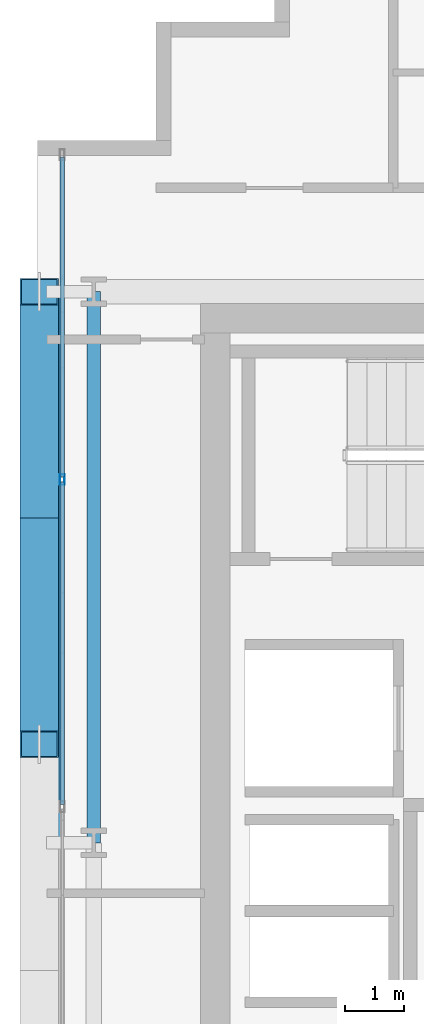
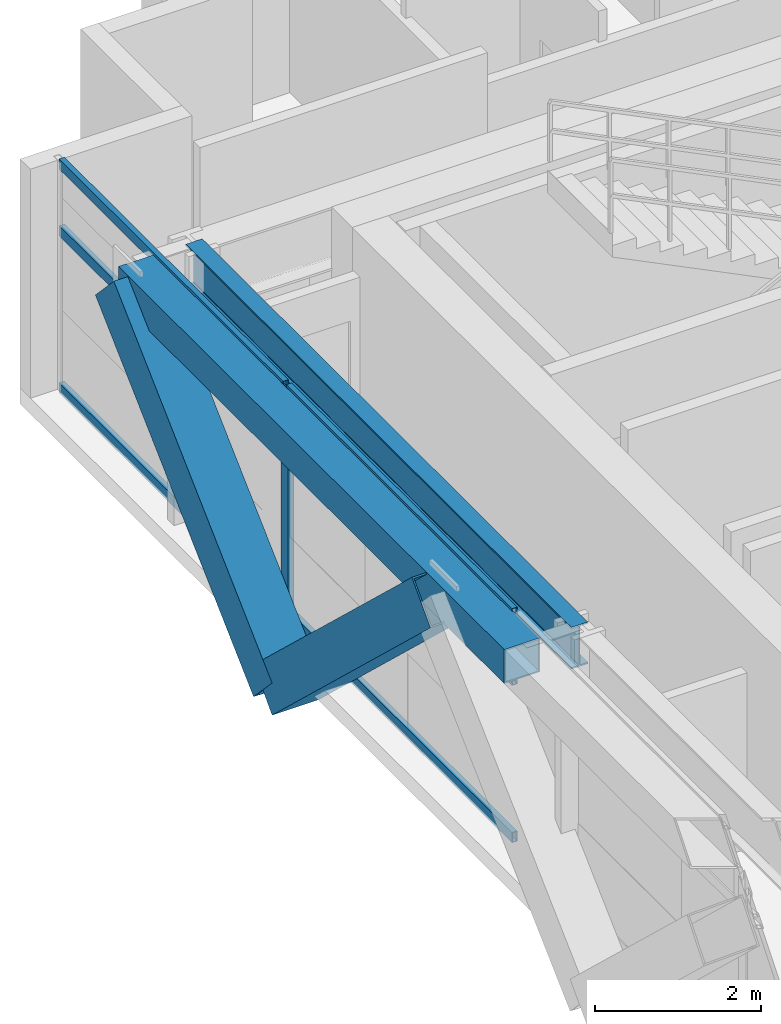
# One storey, part 10 of 38: 9 members, 2 beams, 1 element without a shape of its own.
"""IFC4 building model written with IfcOpenShell, lengths in metres."""

import ifcopenshell
import ifcopenshell.guid

model = None  # the IFC model being written
_history = None  # IfcOwnerHistory: only IFC2X3 demands one
_inside = {}  # id of a spatial element -> (the spatial element, [elements in it])
_under = {}  # id of a project, library or spatial element -> (it, [spatial elements below it])
_declared = {}  # id of a project -> (the project, [libraries it declares])
_typed = {}  # id of a type object -> (the type object, [elements of that type])
_made_of = {}  # id of a material, layer set ... -> (it, [elements and type objects made of it])


def new_model(schema):
    """Start an empty IFC model of exactly this schema.

    Asked for "IFC4X3", IfcOpenShell would pick the latest addendum, in which some entities
    have other attributes; the version numbers below select the first issue.
    IFC2X3 requires an IfcOwnerHistory on every rooted entity: one is made here for all.
    """
    global model, _history
    if schema == "IFC4X3":
        model = ifcopenshell.file(schema_version=(4, 3, 0, 0))
    else:
        model = ifcopenshell.file(schema=schema)
    _inside.clear()
    _under.clear()
    _declared.clear()
    _typed.clear()
    _made_of.clear()
    _history = None
    if model.schema == "IFC2X3":
        org = make("IfcOrganization", Name="unknown")
        user = make(
            "IfcPersonAndOrganization",
            ThePerson=make("IfcPerson", FamilyName="unknown"),
            TheOrganization=org,
        )
        app = make(
            "IfcApplication",
            ApplicationDeveloper=org,
            Version="unknown",
            ApplicationFullName="unknown",
            ApplicationIdentifier="unknown",
        )
        _history = make(
            "IfcOwnerHistory",
            OwningUser=user,
            OwningApplication=app,
            ChangeAction="ADDED",
            CreationDate=0,
        )
    return model


def make(cls, **values):
    """One entity of the class cls with the attributes given. An attribute that is None is left unset."""
    return model.create_entity(
        cls, **{name: value for name, value in values.items() if value is not None}
    )


def rooted(cls, **values):
    """An entity with a GlobalId (a new one), such as an element, a storey or a relation."""
    return make(cls, GlobalId=ifcopenshell.guid.new(), OwnerHistory=_history, **values)


def si_unit(unit_type, name, prefix=None):
    """IfcSIUnit, for example si_unit("LENGTHUNIT", "METRE", prefix="MILLI")."""
    return make("IfcSIUnit", UnitType=unit_type, Prefix=prefix, Name=name)


def assignment(units):
    """IfcUnitAssignment: the units of a project."""
    return None if units is None else make("IfcUnitAssignment", Units=units)


def point(xyz):
    """IfcCartesianPoint."""
    return None if xyz is None else make("IfcCartesianPoint", Coordinates=xyz)


def direction(xyz):
    """IfcDirection."""
    return None if xyz is None else make("IfcDirection", DirectionRatios=xyz)


def frame(location, z_axis=None, x_axis=None):
    """IfcAxis2Placement3D, a coordinate frame: its origin and axes. An axis left out is left unset."""
    return make(
        "IfcAxis2Placement3D",
        Location=point(location),
        Axis=direction(z_axis),
        RefDirection=direction(x_axis),
    )


def frame_2d(location, x_axis=None):
    """IfcAxis2Placement2D, a coordinate frame in the plane: its origin and x axis."""
    return make(
        "IfcAxis2Placement2D", Location=point(location), RefDirection=direction(x_axis)
    )


def origin():
    """The frame at (0, 0, 0) with its axes left unset."""
    return frame((0.0, 0.0, 0.0))


def origin_2d():
    """The frame at (0, 0) in the plane with its x axis left unset."""
    return frame_2d((0.0, 0.0))


def place(relative_to, where):
    """IfcLocalPlacement: puts the frame where relative to a parent placement (None: the world)."""
    return make(
        "IfcLocalPlacement", PlacementRelTo=relative_to, RelativePlacement=where
    )


def context(
    kind, dimensions, precision=None, world=None, true_north=None, identifier=None
):
    """IfcGeometricRepresentationContext, for example the 3D "Model" context."""
    return make(
        "IfcGeometricRepresentationContext",
        ContextIdentifier=identifier,
        ContextType=kind,
        CoordinateSpaceDimension=dimensions,
        Precision=precision,
        WorldCoordinateSystem=world,
        TrueNorth=true_north,
    )


def subcontext(parent, identifier, kind, view, scale=None):
    """IfcGeometricRepresentationSubContext, for example "Body" below "Model"."""
    return make(
        "IfcGeometricRepresentationSubContext",
        ContextIdentifier=identifier,
        ContextType=kind,
        ParentContext=parent,
        TargetScale=scale,
        TargetView=view,
    )


def project(units=None, contexts=None):
    """IfcProject with its units and contexts."""
    return rooted(
        "IfcProject",
        Name="project",
        RepresentationContexts=contexts,
        UnitsInContext=assignment(units),
    )


def spatial(cls, under=None, at=None, **own):
    """A site, building, storey or space (cls), placed at a placement, below another one or the project."""
    s = rooted(cls, ObjectPlacement=at, **own)
    if under is not None:
        _under.setdefault(under.id(), (under, []))[1].append(s)
    return s


def profile(cls, at=None, kind="AREA", **sizes):
    """A parametric profile (cls). Its sizes go by their IFC names, for example OverallWidth=200.0."""
    return make(cls, ProfileType=kind, Position=at, **sizes)


def hollow_rectangle(**sizes):
    """IfcRectangleHollowProfileDef."""
    return profile("IfcRectangleHollowProfileDef", **sizes)


def i_section(**sizes):
    """IfcIShapeProfileDef."""
    return profile("IfcIShapeProfileDef", **sizes)


def extrude(swept, where, along, depth):
    """IfcExtrudedAreaSolid: the profile swept, set in the frame where, extruded along a direction by depth."""
    return make(
        "IfcExtrudedAreaSolid",
        SweptArea=swept,
        Position=where,
        ExtrudedDirection=direction(along),
        Depth=depth,
    )


def shape(context_of_items, identifier, shape_type, items):
    """IfcShapeRepresentation: the items that make up one representation, for example the "Body"."""
    return make(
        "IfcShapeRepresentation",
        ContextOfItems=context_of_items,
        RepresentationIdentifier=identifier,
        RepresentationType=shape_type,
        Items=items,
    )


def source(mapping_origin, context_of_items, identifier, shape_type, items):
    """IfcRepresentationMap: a shape defined once, which mapped items show again and again."""
    return make(
        "IfcRepresentationMap",
        MappingOrigin=mapping_origin,
        MappedRepresentation=shape(context_of_items, identifier, shape_type, items),
    )


def transform(
    local_origin,
    x_axis=None,
    y_axis=None,
    z_axis=None,
    scale=None,
    scale2=None,
    scale3=None,
    uniform=True,
):
    """IfcCartesianTransformationOperator3D, or its non-uniform kind. x_axis, y_axis, z_axis: its Axis1, 2, 3."""
    if uniform:
        return make(
            "IfcCartesianTransformationOperator3D",
            Axis1=direction(x_axis),
            Axis2=direction(y_axis),
            LocalOrigin=point(local_origin),
            Scale=scale,
            Axis3=direction(z_axis),
        )
    return make(
        "IfcCartesianTransformationOperator3DnonUniform",
        Axis1=direction(x_axis),
        Axis2=direction(y_axis),
        LocalOrigin=point(local_origin),
        Scale=scale,
        Axis3=direction(z_axis),
        Scale2=scale2,
        Scale3=scale3,
    )


def mapped(mapping_source, mapping_target):
    """IfcMappedItem: shows the shape of a source again, moved by a transform."""
    return make(
        "IfcMappedItem", MappingSource=mapping_source, MappingTarget=mapping_target
    )


def material(Name=None, Category=None):
    """IfcMaterial."""
    return make("IfcMaterial", Name=Name, Category=Category)


def layer(
    of_material, thickness, ventilated=None, Name=None, Category=None, Priority=None
):
    """IfcMaterialLayer: one layer of a wall or slab, of a material (None: an air gap)."""
    return make(
        "IfcMaterialLayer",
        Material=of_material,
        LayerThickness=thickness,
        IsVentilated=ventilated,
        Name=Name,
        Category=Category,
        Priority=Priority,
    )


def layer_set(layers, Name=None):
    """IfcMaterialLayerSet."""
    return make("IfcMaterialLayerSet", MaterialLayers=layers, LayerSetName=Name)


def material_profile(
    of_material, cross_section, Name=None, Category=None, Priority=None
):
    """IfcMaterialProfile: a cross section and its material."""
    return make(
        "IfcMaterialProfile",
        Name=Name,
        Material=of_material,
        Profile=cross_section,
        Priority=Priority,
        Category=Category,
    )


def profile_set(profiles, Name=None, composite=None):
    """IfcMaterialProfileSet."""
    return make(
        "IfcMaterialProfileSet",
        Name=Name,
        MaterialProfiles=profiles,
        CompositeProfile=composite,
    )


def made_of(thing, what):
    """Note that an element or type object is made of a material, layer set ...; save() writes the relation."""
    if what is not None:
        _made_of.setdefault(what.id(), (what, []))[1].append(thing)
    return thing


def type_object(cls, material=None, **own):
    """A type object (cls), such as IfcWallType, which elements share."""
    return made_of(rooted(cls, **own), material)


def element(
    cls,
    number,
    at=None,
    inside=None,
    cuts=None,
    type_object=None,
    material=None,
    context=None,
    identifier="Body",
    shape_type=None,
    held_by="IfcProductDefinitionShape",
    body=None,
    shapes=None,
    **own,
):
    """One element of the class cls, such as IfcWall. Its Tag is "e" and its number.

    at: its placement. inside: the storey or other place that contains it. cuts: it is an
    opening in that element (IfcRelVoidsElement). A single representation is given by context,
    identifier, shape_type and body (its items); several are given by shapes. held_by: the class
    of the entity that holds the representations. save() writes the other relations.
    """
    e = rooted(cls, Tag="e%d" % number, ObjectPlacement=at, **own)
    if body is not None:
        shapes = [shape(context, identifier, shape_type, body)]
    if shapes is not None:
        e.Representation = make(held_by, Representations=shapes)
    if inside is not None:
        _inside.setdefault(inside.id(), (inside, []))[1].append(e)
    if cuts is not None:
        rooted(
            "IfcRelVoidsElement", RelatingBuildingElement=cuts, RelatedOpeningElement=e
        )
    if type_object is not None:
        _typed.setdefault(type_object.id(), (type_object, []))[1].append(e)
    return made_of(e, material)


def aggregate(whole, parts):
    """IfcRelAggregates: a whole, such as a stair, and the parts it consists of."""
    return rooted("IfcRelAggregates", RelatingObject=whole, RelatedObjects=parts)


def save(model, path):
    """Write the relations noted so far, then the file.

    IfcRelAggregates (storeys below a building ...), IfcRelContainedInSpatialStructure (elements
    in a storey), IfcRelDefinesByType, IfcRelAssociatesMaterial and IfcRelDeclares: one each for
    every whole, place, type object, material and project.
    """
    for whole, parts in _under.values():
        aggregate(whole, parts)
    for where, things in _inside.values():
        rooted(
            "IfcRelContainedInSpatialStructure",
            RelatedElements=things,
            RelatingStructure=where,
        )
    for kind, things in _typed.values():
        rooted("IfcRelDefinesByType", RelatedObjects=things, RelatingType=kind)
    for what, things in _made_of.values():
        rooted("IfcRelAssociatesMaterial", RelatedObjects=things, RelatingMaterial=what)
    for by, libraries in _declared.values():
        rooted("IfcRelDeclares", RelatingContext=by, RelatedDefinitions=libraries)
    model.write(path)


model = new_model("IFC4")

# Units and contexts
model_context = context("Model", 3, precision=1e-05, world=origin(), true_north=direction((0.0, 1.0)))
body_context = subcontext(model_context, "Body", "Model", "MODEL_VIEW")
ifc_project = project(units=[si_unit("LENGTHUNIT", "METRE"), si_unit("AREAUNIT", "SQUARE_METRE"), si_unit("VOLUMEUNIT", "CUBIC_METRE"), si_unit("PLANEANGLEUNIT", "RADIAN"), si_unit("MASSUNIT", "GRAM", prefix="KILO")], contexts=[model_context])

# Site, building, storey
site_placement = place(None, origin())
site = spatial("IfcSite", under=ifc_project, at=site_placement, CompositionType="ELEMENT")
building_placement = place(site_placement, origin())
building = spatial("IfcBuilding", under=site, at=building_placement, Name="Ocotamira Hotel", CompositionType="ELEMENT")
storey_placement = place(building_placement, frame((0.0, 0.0, 170.39990234375)))
storey = spatial("IfcBuildingStorey", under=building, at=storey_placement, Name="L42", CompositionType="ELEMENT", Elevation=170.39990234375)

# Beams
ifc_material_1 = material(Name="Steel ASTM A992 Grade 50", Category="steel")
ifc_material_profile_1 = material_profile(ifc_material_1, i_section(OverallWidth=0.22998046875, OverallDepth=0.616943359375, WebThickness=0.01318359375, FlangeThickness=0.022216796875, FilletRadius=0.012939453125, at=origin_2d()), Name="W24X94")
ifc_profile_set_1 = profile_set([ifc_material_profile_1], Name="Steel ASTM A992 Grade 50")
beam_type_1 = type_object("IfcBeamType", Name="BM-PRIM-W24X94", PredefinedType="BEAM", material=ifc_profile_set_1)
shared_shape_1 = source(origin(), body_context, "Body", "SweptSolid", [
    extrude(i_section(OverallWidth=0.22998046875, OverallDepth=0.616943359375, WebThickness=0.01318359375, FlangeThickness=0.022216796875, FilletRadius=0.012939453125, at=origin_2d()), origin(), (0.0, 0.0, 1.0), 9.300048828125),
])
beam_1_placement = place(storey_placement, frame((8.949951171875, 28.14990234375, 3.0615234375), z_axis=(0.0, 1.0, 0.0), x_axis=(-1.0, 0.0, 0.0)))
element("IfcBeam", 1, at=beam_1_placement, inside=storey, type_object=beam_type_1, Name="L42 Beam X8.95 Y28.15-37.45", PredefinedType="BEAM", context=body_context, shape_type="MappedRepresentation", body=[
    mapped(shared_shape_1, transform((0.0, 0.0, 0.0), scale=1.0)),
])
ifc_material_2 = material(Name="Steel ASTM A500 Grade C", Category="steel")
ifc_material_profile_2 = material_profile(ifc_material_2, hollow_rectangle(XDim=0.5, YDim=0.5, WallThickness=0.02001953125, at=origin_2d()), Name="HSS500X500X20")
ifc_profile_set_2 = profile_set([ifc_material_profile_2], Name="Steel ASTM A500 Grade C")
beam_type_2 = type_object("IfcBeamType", Name="BM-SPAN-HSS500", PredefinedType="USERDEFINED", material=ifc_profile_set_2)
shared_shape_2 = source(origin(), body_context, "Body", "SweptSolid", [
    extrude(hollow_rectangle(XDim=0.5, YDim=0.5, WallThickness=0.02001953125, at=origin_2d()), origin(), (0.0, 0.0, 1.0), 9.300048828125),
])
beam_2_placement = place(storey_placement, frame((8.14990234375, 28.14990234375, 3.1201171875), z_axis=(0.0, 1.0, 0.0), x_axis=(-1.0, 0.0, 0.0)))
element("IfcBeam", 2, at=beam_2_placement, inside=storey, type_object=beam_type_2, Name="L42 Edge Spandrel W Y28.15-37.45", ObjectType="SPANDREL", PredefinedType="USERDEFINED", context=body_context, shape_type="MappedRepresentation", body=[
    mapped(shared_shape_2, transform((0.0, 0.0, 0.0), scale=1.0)),
])

# Members
ifc_material_3 = material(Name="Pale-metal coated steel ASTM A913 Grade 65", Category="steel")
ifc_material_profile_3 = material_profile(ifc_material_3, hollow_rectangle(XDim=0.64990234375, YDim=0.64990234375, WallThickness=0.02197265625, at=origin_2d()), Name="BOX650X650X22")
ifc_profile_set_3 = profile_set([ifc_material_profile_3], Name="Pale-metal coated steel ASTM A913 Grade 65")
member_type_1 = type_object("IfcMemberType", Name="MEM-EXO-BOX650", PredefinedType="BRACE", material=ifc_profile_set_3)
shared_shape_3 = source(origin(), body_context, "Body", "SweptSolid", [
    extrude(hollow_rectangle(XDim=0.64990234375, YDim=0.64990234375, WallThickness=0.02197265625, at=origin_2d()), origin(), (0.0, 0.0, 1.0), 5.24658203125),
])
for number, where, z_axis, x_axis, name in (
    (3, (8.030029296875, 33.63330078125, -0.47998046875), (0.0, -0.727442733726, 0.686168397078), (1.0, 0.0, 0.0), "L42 Exoskeleton Diagrid W2.1"),
    (4, (8.030029296875, 33.63330078125, -0.47998046875), (0.0, 0.727442733726, 0.686168397078), (-1.0, 0.0, 0.0), "L42 Exoskeleton Diagrid W2.2"),
):
    element("IfcMember", number, at=place(storey_placement, frame(where, z_axis=z_axis, x_axis=x_axis)), inside=storey, type_object=member_type_1, Name=name, PredefinedType="BRACE", context=body_context, shape_type="MappedRepresentation", body=[
        mapped(shared_shape_3, transform((0.0, 0.0, 0.0), scale=1.0)),
    ])

# Curtain wall, members
ifc_material_4 = material(Name="Anodised pale-metal aluminium and solar glass", Category="aluminium")
ifc_layer = layer(ifc_material_4, 0.199951171875)
ifc_layer_set = layer_set([ifc_layer], Name="Anodised pale-metal aluminium and solar glass")
curtain_wall_type = type_object("IfcCurtainWallType", Name="CW-SYS4-Z3", PredefinedType="NOTDEFINED", material=ifc_layer_set)
curtain_wall_placement = place(storey_placement, origin())
curtain_wall = element("IfcCurtainWall", 5, at=curtain_wall_placement, inside=storey, type_object=curtain_wall_type, Name="L42 Curtain Wall CW-4 CW-L42-W", PredefinedType="NOTDEFINED")
ifc_material_5 = material(Name="Anodised pale-metal aluminium 6063-T6", Category="aluminium")
ifc_material_profile_4 = material_profile(ifc_material_5, hollow_rectangle(XDim=0.080078125, YDim=0.179931640625, WallThickness=0.006103515625, at=origin_2d()), Name="HSS180X80X6")
ifc_profile_set_4 = profile_set([ifc_material_profile_4], Name="Anodised pale-metal aluminium 6063-T6")
member_type_2 = type_object("IfcMemberType", Name="CWM-180X75", PredefinedType="MULLION", material=ifc_profile_set_4)
shared_shape_4 = source(origin(), body_context, "Body", "SweptSolid", [
    extrude(hollow_rectangle(XDim=0.080078125, YDim=0.179931640625, WallThickness=0.006103515625, at=origin_2d()), origin(), (0.0, 0.0, 1.0), 3.3701171875),
])
member_1_placement = place(storey_placement, frame((8.419921875, 34.280029296875, 0.0), z_axis=(0.0, 0.0, 1.0), x_axis=(-1.0, 0.0, 0.0)))
member_1 = element("IfcMember", 6, at=member_1_placement, type_object=member_type_2, Name="CW-4 mullion 5", PredefinedType="MULLION", context=body_context, shape_type="MappedRepresentation", body=[
    mapped(shared_shape_4, transform((0.0, 0.0, 0.0), scale=1.0)),
])
ifc_material_profile_5 = material_profile(ifc_material_5, hollow_rectangle(XDim=0.074951171875, YDim=0.14990234375, WallThickness=0.006103515625, at=origin_2d()), Name="HSS150X75X6")
ifc_profile_set_5 = profile_set([ifc_material_profile_5], Name="Anodised pale-metal aluminium 6063-T6")
member_type_3 = type_object("IfcMemberType", Name="CWT-150X75", PredefinedType="USERDEFINED", material=ifc_profile_set_5)
shared_shape_5 = source(origin(), body_context, "Body", "SweptSolid", [
    extrude(hollow_rectangle(XDim=0.074951171875, YDim=0.14990234375, WallThickness=0.006103515625, at=origin_2d()), origin(), (0.0, 0.0, 1.0), 5.39990234375),
])
member_2_placement = place(storey_placement, frame((8.419921875, 34.320068359375, 0.03759765625), z_axis=(0.0, 1.0, 0.0), x_axis=(-1.0, 0.0, 0.0)))
member_2 = element("IfcMember", 7, at=member_2_placement, type_object=member_type_3, Name="CW-4 transom 5.1", ObjectType="TRANSOM", PredefinedType="USERDEFINED", context=body_context, shape_type="MappedRepresentation", body=[
    mapped(shared_shape_5, transform((0.0, 0.0, 0.0), scale=1.0)),
])
member_3_placement = place(storey_placement, frame((8.419921875, 34.320068359375, 2.35009765625), z_axis=(0.0, 1.0, 0.0), x_axis=(-1.0, 0.0, 0.0)))
member_3 = element("IfcMember", 8, at=member_3_placement, type_object=member_type_3, Name="CW-4 transom 5.2", ObjectType="TRANSOM", PredefinedType="USERDEFINED", context=body_context, shape_type="MappedRepresentation", body=[
    mapped(shared_shape_5, transform((0.0, 0.0, 0.0), scale=1.0)),
])
member_4_placement = place(storey_placement, frame((8.419921875, 34.320068359375, 3.33251953125), z_axis=(0.0, 1.0, 0.0), x_axis=(-1.0, 0.0, 0.0)))
member_4 = element("IfcMember", 9, at=member_4_placement, type_object=member_type_3, Name="CW-4 transom 5.3", ObjectType="TRANSOM", PredefinedType="USERDEFINED", context=body_context, shape_type="MappedRepresentation", body=[
    mapped(shared_shape_5, transform((0.0, 0.0, 0.0), scale=1.0)),
])
shared_shape_6 = source(origin(), body_context, "Body", "SweptSolid", [
    extrude(hollow_rectangle(XDim=0.074951171875, YDim=0.14990234375, WallThickness=0.006103515625, at=origin_2d()), origin(), (0.0, 0.0, 1.0), 5.43994140625),
])
member_5_placement = place(storey_placement, frame((8.419921875, 28.800048828125, 0.03759765625), z_axis=(0.0, 1.0, 0.0), x_axis=(-1.0, 0.0, 0.0)))
member_5 = element("IfcMember", 10, at=member_5_placement, type_object=member_type_3, Name="CW-4 transom 4.1", ObjectType="TRANSOM", PredefinedType="USERDEFINED", context=body_context, shape_type="MappedRepresentation", body=[
    mapped(shared_shape_6, transform((0.0, 0.0, 0.0), scale=1.0)),
])
member_6_placement = place(storey_placement, frame((8.419921875, 28.800048828125, 2.35009765625), z_axis=(0.0, 1.0, 0.0), x_axis=(-1.0, 0.0, 0.0)))
member_6 = element("IfcMember", 11, at=member_6_placement, type_object=member_type_3, Name="CW-4 transom 4.2", ObjectType="TRANSOM", PredefinedType="USERDEFINED", context=body_context, shape_type="MappedRepresentation", body=[
    mapped(shared_shape_6, transform((0.0, 0.0, 0.0), scale=1.0)),
])
member_7_placement = place(storey_placement, frame((8.419921875, 28.800048828125, 3.33251953125), z_axis=(0.0, 1.0, 0.0), x_axis=(-1.0, 0.0, 0.0)))
member_7 = element("IfcMember", 12, at=member_7_placement, type_object=member_type_3, Name="CW-4 transom 4.3", ObjectType="TRANSOM", PredefinedType="USERDEFINED", context=body_context, shape_type="MappedRepresentation", body=[
    mapped(shared_shape_6, transform((0.0, 0.0, 0.0), scale=1.0)),
])
aggregate(curtain_wall, [member_1, member_5, member_6, member_7, member_2, member_3, member_4])

save(model, "model.ifc")
